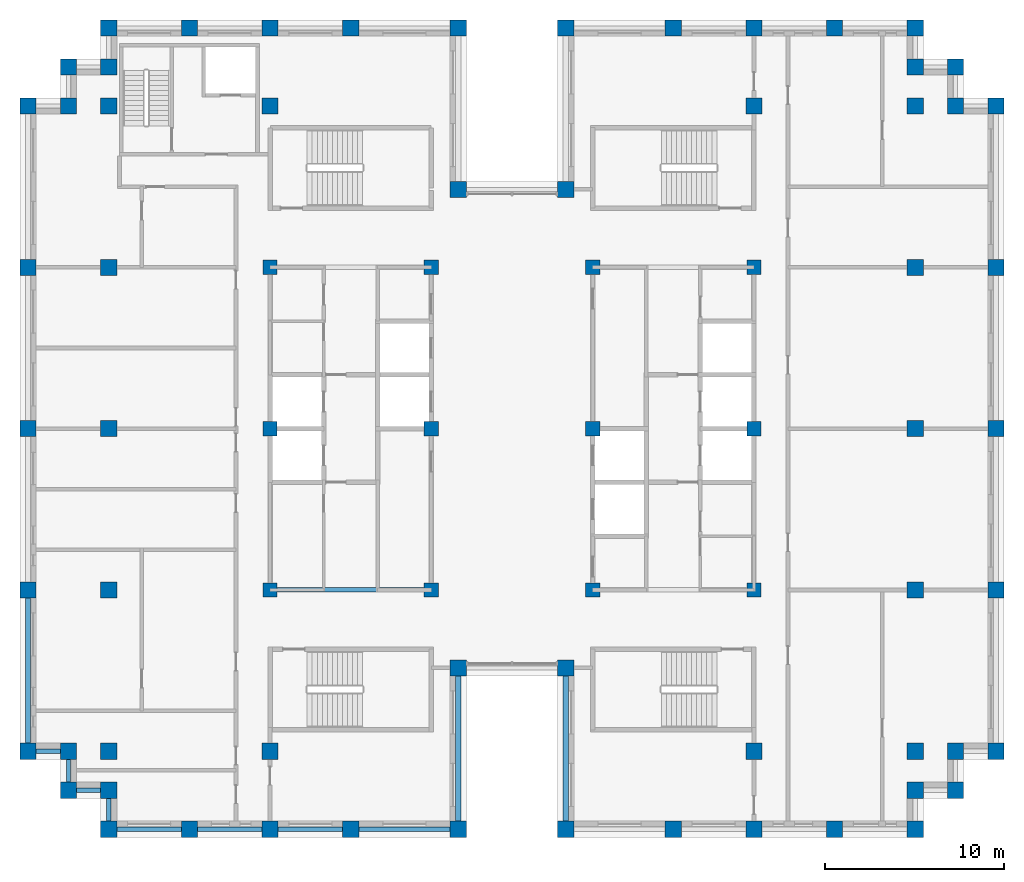
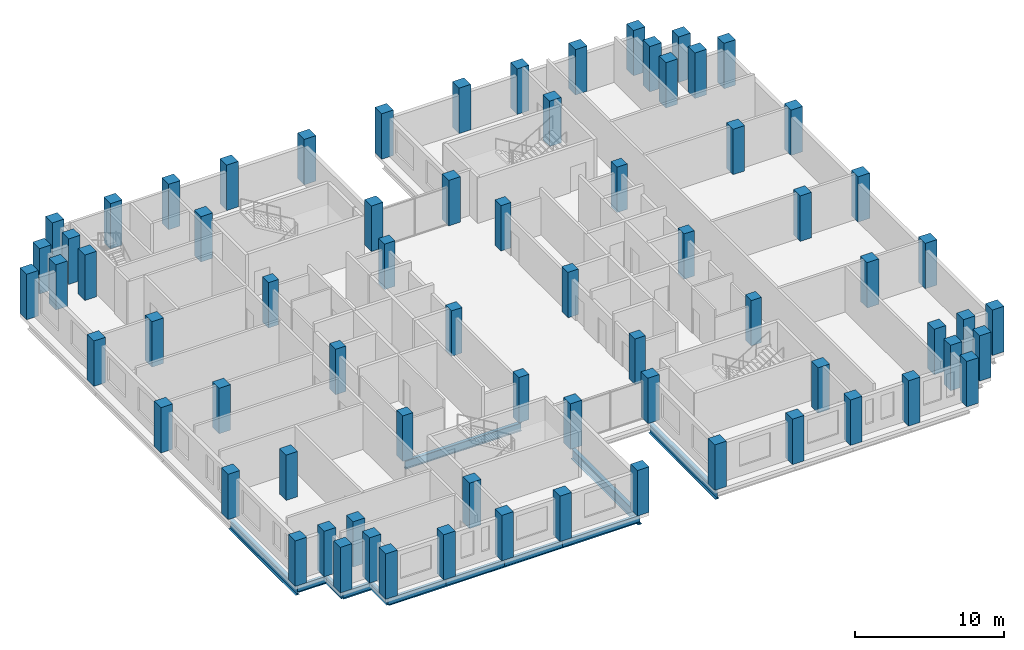
# One storey, part 1 of 13: 72 columns, 12 beams.
"""IFC4 building model written with IfcOpenShell, lengths in metres."""

from ifc_helpers import new_model, si_unit, direction, frame, origin, origin_2d, place, context, subcontext, project, spatial, rectangle, i_section, extrude, material, material_profile, profile_set, type_object, element, save


model = new_model("IFC4")

# Units and contexts
model_context = context("Model", 3, precision=1e-05, world=origin(), true_north=direction((0.0, 1.0)))
body_context = subcontext(model_context, "Body", "Model", "MODEL_VIEW")
ifc_project = project(units=[si_unit("LENGTHUNIT", "METRE"), si_unit("AREAUNIT", "SQUARE_METRE"), si_unit("VOLUMEUNIT", "CUBIC_METRE"), si_unit("PLANEANGLEUNIT", "RADIAN"), si_unit("MASSUNIT", "GRAM", prefix="KILO")], contexts=[model_context])

# Site, building, storey
site_placement = place(None, origin())
site = spatial("IfcSite", under=ifc_project, at=site_placement, CompositionType="ELEMENT")
building_placement = place(site_placement, origin())
building = spatial("IfcBuilding", under=site, at=building_placement, Name="Corbelhall Arena Tower", CompositionType="ELEMENT")
storey_placement = place(building_placement, frame((0.0, 0.0, 282.0)))
storey = spatial("IfcBuildingStorey", under=building, at=storey_placement, Name="L61", CompositionType="ELEMENT", Elevation=282.0)

# Columns
ifc_material_1 = material(Name="Concrete C80/95", Category="concrete")
ifc_material_profile_1 = material_profile(ifc_material_1, rectangle(XDim=0.800048828125, YDim=0.800048828125, at=origin_2d()))
ifc_profile_set_1 = profile_set([ifc_material_profile_1], Name="Concrete C80/95")
column_type_1 = type_object("IfcColumnType", Name="ST-COL-RC 800x800", PredefinedType="COLUMN", material=ifc_profile_set_1)
for number, where, z_axis, x_axis, name in (
    (1, (4.5, 0.0, 0.0), (0.0, 0.0, 1.0), (1.0, 0.0, 0.0), "Column KE+0450+0000"),
    (2, (4.5, 9.0, 0.0), (0.0, 0.0, 1.0), (1.0, 0.0, 0.0), "Column KE+0450+0900"),
    (3, (4.5, -9.0, 0.0), (0.0, 0.0, 1.0), (1.0, 0.0, 0.0), "Column KE+0450-0900"),
    (4, (13.5, 0.0, 0.0), (0.0, 0.0, 1.0), (1.0, 0.0, 0.0), "Column KE+1350+0000"),
    (5, (13.5, 9.0, 0.0), (0.0, 0.0, 1.0), (1.0, 0.0, 0.0), "Column KE+1350+0900"),
    (6, (13.5, -9.0, 0.0), (0.0, 0.0, 1.0), (1.0, 0.0, 0.0), "Column KE+1350-0900"),
    (7, (-4.5, 0.0, 0.0), (0.0, 0.0, 1.0), (1.0, 0.0, 0.0), "Column KW-0450+0000"),
    (8, (-4.5, 9.0, 0.0), (0.0, 0.0, 1.0), (1.0, 0.0, 0.0), "Column KW-0450+0900"),
    (9, (-4.5, -9.0, 0.0), (0.0, 0.0, 1.0), (1.0, 0.0, 0.0), "Column KW-0450-0900"),
    (10, (-13.5, 0.0, 0.0), (0.0, 0.0, 1.0), (1.0, 0.0, 0.0), "Column KW-1350+0000"),
    (11, (-13.5, 9.0, 0.0), (0.0, 0.0, 1.0), (1.0, 0.0, 0.0), "Column KW-1350+0900"),
    (12, (-13.5, -9.0, 0.0), (0.0, 0.0, 1.0), (1.0, 0.0, 0.0), "Column KW-1350-0900"),
):
    element("IfcColumn", number, at=place(storey_placement, frame(where, z_axis=z_axis, x_axis=x_axis)), inside=storey, type_object=column_type_1, Name=name, PredefinedType="COLUMN", context=body_context, shape_type="SweptSolid", body=[
        extrude(rectangle(XDim=0.800048828125, YDim=0.800048828125, at=origin_2d()), origin(), (0.0, 0.0, 1.0), 3.719970703125),
    ])
ifc_material_profile_2 = material_profile(ifc_material_1, rectangle(XDim=0.89990234375, YDim=0.89990234375, at=origin_2d()))
ifc_profile_set_2 = profile_set([ifc_material_profile_2], Name="Concrete C80/95")
column_type_2 = type_object("IfcColumnType", Name="ST-COL-RC 900x900", PredefinedType="COLUMN", material=ifc_profile_set_2)
for number, where, z_axis, x_axis, name in (
    (13, (13.5, 18.0, 0.0), (0.0, 0.0, 1.0), (1.0, 0.0, 0.0), "Column IE13+1800"),
    (14, (13.5, -18.0, 0.0), (0.0, 0.0, 1.0), (1.0, 0.0, 0.0), "Column IE13-1800"),
    (15, (22.5, 0.0, 0.0), (0.0, 0.0, 1.0), (1.0, 0.0, 0.0), "Column IE22+0000"),
    (16, (22.5, 9.0, 0.0), (0.0, 0.0, 1.0), (1.0, 0.0, 0.0), "Column IE22+0900"),
    (17, (22.5, 18.0, 0.0), (0.0, 0.0, 1.0), (1.0, 0.0, 0.0), "Column IE22+1800"),
    (18, (22.5, -9.0, 0.0), (0.0, 0.0, 1.0), (1.0, 0.0, 0.0), "Column IE22-0900"),
    (19, (22.5, -18.0, 0.0), (0.0, 0.0, 1.0), (1.0, 0.0, 0.0), "Column IE22-1800"),
    (20, (-13.5, 18.0, 0.0), (0.0, 0.0, 1.0), (1.0, 0.0, 0.0), "Column IW13+1800"),
    (21, (-13.5, -18.0, 0.0), (0.0, 0.0, 1.0), (1.0, 0.0, 0.0), "Column IW13-1800"),
    (22, (-22.5, 0.0, 0.0), (0.0, 0.0, 1.0), (1.0, 0.0, 0.0), "Column IW22+0000"),
    (23, (-22.5, 9.0, 0.0), (0.0, 0.0, 1.0), (1.0, 0.0, 0.0), "Column IW22+0900"),
    (24, (-22.5, 18.0, 0.0), (0.0, 0.0, 1.0), (1.0, 0.0, 0.0), "Column IW22+1800"),
    (25, (-22.5, -9.0, 0.0), (0.0, 0.0, 1.0), (1.0, 0.0, 0.0), "Column IW22-0900"),
    (26, (-22.5, -18.0, 0.0), (0.0, 0.0, 1.0), (1.0, 0.0, 0.0), "Column IW22-1800"),
    (27, (27.0, 0.0, 0.0), (0.0, 0.0, 1.0), (0.0, 1.0, 0.0), "Column PE+0000"),
    (28, (27.0, 9.0, 0.0), (0.0, 0.0, 1.0), (0.0, 1.0, 0.0), "Column PE+0900"),
    (29, (27.0, 18.0, 0.0), (0.0, 0.0, 1.0), (0.0, 1.0, 0.0), "Column PE+1800"),
    (30, (27.0, -9.0, 0.0), (0.0, 0.0, 1.0), (0.0, 1.0, 0.0), "Column PE-0900"),
    (31, (27.0, -18.0, 0.0), (0.0, 0.0, 1.0), (0.0, 1.0, 0.0), "Column PE-1800"),
    (32, (3.0, 22.35009765625, 0.0), (0.0, 0.0, 1.0), (1.0, 0.0, 0.0), "Column PNE0300"),
    (33, (9.0, 22.35009765625, 0.0), (0.0, 0.0, 1.0), (1.0, 0.0, 0.0), "Column PNE0900"),
    (34, (13.5, 22.35009765625, 0.0), (0.0, 0.0, 1.0), (1.0, 0.0, 0.0), "Column PNE1350"),
    (35, (18.0, 22.35009765625, 0.0), (0.0, 0.0, 1.0), (1.0, 0.0, 0.0), "Column PNE1800"),
    (36, (22.5, 22.35009765625, 0.0), (0.0, 0.0, 1.0), (1.0, 0.0, 0.0), "Column PNE2250"),
    (37, (-3.0, 22.35009765625, 0.0), (0.0, 0.0, 1.0), (1.0, 0.0, 0.0), "Column PNW0300"),
    (38, (-9.0, 22.35009765625, 0.0), (0.0, 0.0, 1.0), (1.0, 0.0, 0.0), "Column PNW0900"),
    (39, (-13.5, 22.35009765625, 0.0), (0.0, 0.0, 1.0), (1.0, 0.0, 0.0), "Column PNW1350"),
    (40, (-18.0, 22.35009765625, 0.0), (0.0, 0.0, 1.0), (1.0, 0.0, 0.0), "Column PNW1800"),
    (41, (-22.5, 22.35009765625, 0.0), (0.0, 0.0, 1.0), (1.0, 0.0, 0.0), "Column PNW2250"),
    (42, (3.0, -22.35009765625, 0.0), (0.0, 0.0, 1.0), (1.0, 0.0, 0.0), "Column PSE0300"),
    (43, (9.0, -22.35009765625, 0.0), (0.0, 0.0, 1.0), (1.0, 0.0, 0.0), "Column PSE0900"),
    (44, (13.5, -22.35009765625, 0.0), (0.0, 0.0, 1.0), (1.0, 0.0, 0.0), "Column PSE1350"),
    (45, (18.0, -22.35009765625, 0.0), (0.0, 0.0, 1.0), (1.0, 0.0, 0.0), "Column PSE1800"),
    (46, (22.5, -22.35009765625, 0.0), (0.0, 0.0, 1.0), (1.0, 0.0, 0.0), "Column PSE2250"),
    (47, (-3.0, -22.35009765625, 0.0), (0.0, 0.0, 1.0), (1.0, 0.0, 0.0), "Column PSW0300"),
    (48, (-9.0, -22.35009765625, 0.0), (0.0, 0.0, 1.0), (1.0, 0.0, 0.0), "Column PSW0900"),
    (49, (-13.5, -22.35009765625, 0.0), (0.0, 0.0, 1.0), (1.0, 0.0, 0.0), "Column PSW1350"),
    (50, (-18.0, -22.35009765625, 0.0), (0.0, 0.0, 1.0), (1.0, 0.0, 0.0), "Column PSW1800"),
    (51, (-22.5, -22.35009765625, 0.0), (0.0, 0.0, 1.0), (1.0, 0.0, 0.0), "Column PSW2250"),
    (52, (-27.0, 0.0, 0.0), (0.0, 0.0, 1.0), (0.0, 1.0, 0.0), "Column PW+0000"),
    (53, (-27.0, 9.0, 0.0), (0.0, 0.0, 1.0), (0.0, 1.0, 0.0), "Column PW+0900"),
    (54, (-27.0, 18.0, 0.0), (0.0, 0.0, 1.0), (0.0, 1.0, 0.0), "Column PW+1800"),
    (55, (-27.0, -9.0, 0.0), (0.0, 0.0, 1.0), (0.0, 1.0, 0.0), "Column PW-0900"),
    (56, (-27.0, -18.0, 0.0), (0.0, 0.0, 1.0), (0.0, 1.0, 0.0), "Column PW-1800"),
    (57, (3.0, 13.35009765625, 0.0), (0.0, 0.0, 1.0), (1.0, 0.0, 0.0), "Column SLNE2"),
    (58, (-3.0, 13.35009765625, 0.0), (0.0, 0.0, 1.0), (1.0, 0.0, 0.0), "Column SLNW2"),
    (59, (3.0, -13.35009765625, 0.0), (0.0, 0.0, 1.0), (1.0, 0.0, 0.0), "Column SLSE2"),
    (60, (-3.0, -13.35009765625, 0.0), (0.0, 0.0, 1.0), (1.0, 0.0, 0.0), "Column SLSW2"),
    (61, (22.5, 20.175048828125, 0.0), (0.0, 0.0, 1.0), (1.0, 0.0, 0.0), "Column XNE1"),
    (62, (24.75, 20.175048828125, 0.0), (0.0, 0.0, 1.0), (1.0, 0.0, 0.0), "Column XNE2"),
    (63, (24.75, 18.0, 0.0), (0.0, 0.0, 1.0), (1.0, 0.0, 0.0), "Column XNE3"),
    (64, (-22.5, 20.175048828125, 0.0), (0.0, 0.0, 1.0), (1.0, 0.0, 0.0), "Column XNW1"),
    (65, (-24.75, 20.175048828125, 0.0), (0.0, 0.0, 1.0), (1.0, 0.0, 0.0), "Column XNW2"),
    (66, (-24.75, 18.0, 0.0), (0.0, 0.0, 1.0), (1.0, 0.0, 0.0), "Column XNW3"),
    (67, (22.5, -20.175048828125, 0.0), (0.0, 0.0, 1.0), (1.0, 0.0, 0.0), "Column XSE1"),
    (68, (24.75, -20.175048828125, 0.0), (0.0, 0.0, 1.0), (1.0, 0.0, 0.0), "Column XSE2"),
    (69, (24.75, -18.0, 0.0), (0.0, 0.0, 1.0), (1.0, 0.0, 0.0), "Column XSE3"),
    (70, (-22.5, -20.175048828125, 0.0), (0.0, 0.0, 1.0), (1.0, 0.0, 0.0), "Column XSW1"),
    (71, (-24.75, -20.175048828125, 0.0), (0.0, 0.0, 1.0), (1.0, 0.0, 0.0), "Column XSW2"),
    (72, (-24.75, -18.0, 0.0), (0.0, 0.0, 1.0), (1.0, 0.0, 0.0), "Column XSW3"),
):
    element("IfcColumn", number, at=place(storey_placement, frame(where, z_axis=z_axis, x_axis=x_axis)), inside=storey, type_object=column_type_2, Name=name, PredefinedType="COLUMN", context=body_context, shape_type="SweptSolid", body=[
        extrude(rectangle(XDim=0.89990234375, YDim=0.89990234375, at=origin_2d()), origin(), (0.0, 0.0, 1.0), 3.719970703125),
    ])

# Beams
ifc_material_2 = material(Name="Steel ASTM A992 Gr50", Category="steel")
ifc_material_profile_3 = material_profile(ifc_material_2, i_section(OverallWidth=0.25390625, OverallDepth=0.67822265625, WebThickness=0.01171875, FlangeThickness=0.016357421875, at=origin_2d()))
ifc_profile_set_3 = profile_set([ifc_material_profile_3], Name="Steel ASTM A992 Gr50")
beam_type_1 = type_object("IfcBeamType", Name="ST-BEAM-W27x84", PredefinedType="BEAM", material=ifc_profile_set_3)
beam_1_placement = place(storey_placement, frame((-13.5, -9.0, -0.619140625), z_axis=(1.0, 0.0, 0.0), x_axis=(0.0, 1.0, 0.0)))
element("IfcBeam", 73, at=beam_1_placement, inside=storey, type_object=beam_type_1, Name="Beam CEW 5", PredefinedType="BEAM", context=body_context, shape_type="SweptSolid", body=[
    extrude(i_section(OverallWidth=0.25390625, OverallDepth=0.67822265625, WebThickness=0.01171875, FlangeThickness=0.016357421875, at=origin_2d()), origin(), (0.0, 0.0, 1.0), 9.0),
])
ifc_material_profile_4 = material_profile(ifc_material_2, i_section(OverallWidth=0.227783203125, OverallDepth=0.60205078125, WebThickness=0.010498046875, FlangeThickness=0.014892578125, at=origin_2d()))
ifc_profile_set_4 = profile_set([ifc_material_profile_4], Name="Steel ASTM A992 Gr50")
beam_type_2 = type_object("IfcBeamType", Name="ST-SPANDREL-W24x68", PredefinedType="SPANDREL", material=ifc_profile_set_4)
beam_2_placement = place(storey_placement, frame((-3.0, -22.35009765625, -0.5810546875), z_axis=(-1.0, 0.0, 0.0), x_axis=(0.0, -1.0, 0.0)))
element("IfcBeam", 74, at=beam_2_placement, inside=storey, type_object=beam_type_2, Name="Beam SP 21", PredefinedType="SPANDREL", context=body_context, shape_type="SweptSolid", body=[
    extrude(i_section(OverallWidth=0.227783203125, OverallDepth=0.60205078125, WebThickness=0.010498046875, FlangeThickness=0.014892578125, at=origin_2d()), origin(), (0.0, 0.0, 1.0), 6.0),
])
for number, where, z_axis, x_axis, name in (
    (75, (-9.0, -22.35009765625, -0.5810546875), (-1.0, 0.0, 0.0), (0.0, -1.0, 0.0), "Beam SP 22"),
    (76, (-13.5, -22.35009765625, -0.5810546875), (-1.0, 0.0, 0.0), (0.0, -1.0, 0.0), "Beam SP 23"),
    (77, (-18.0, -22.35009765625, -0.5810546875), (-1.0, 0.0, 0.0), (0.0, -1.0, 0.0), "Beam SP 24"),
):
    element("IfcBeam", number, at=place(storey_placement, frame(where, z_axis=z_axis, x_axis=x_axis)), inside=storey, type_object=beam_type_2, Name=name, PredefinedType="SPANDREL", context=body_context, shape_type="SweptSolid", body=[
        extrude(i_section(OverallWidth=0.227783203125, OverallDepth=0.60205078125, WebThickness=0.010498046875, FlangeThickness=0.014892578125, at=origin_2d()), origin(), (0.0, 0.0, 1.0), 4.5),
    ])
beam_3_placement = place(storey_placement, frame((-22.5, -22.35009765625, -0.5810546875), z_axis=(0.0, 1.0, 0.0), x_axis=(-1.0, 0.0, 0.0)))
element("IfcBeam", 78, at=beam_3_placement, inside=storey, type_object=beam_type_2, Name="Beam SP 25", PredefinedType="SPANDREL", context=body_context, shape_type="SweptSolid", body=[
    extrude(i_section(OverallWidth=0.227783203125, OverallDepth=0.60205078125, WebThickness=0.010498046875, FlangeThickness=0.014892578125, at=origin_2d()), origin(), (0.0, 0.0, 1.0), 2.175048828125),
])
beam_4_placement = place(storey_placement, frame((-22.5, -20.175048828125, -0.5810546875), z_axis=(-1.0, 0.0, 0.0), x_axis=(0.0, -1.0, 0.0)))
element("IfcBeam", 79, at=beam_4_placement, inside=storey, type_object=beam_type_2, Name="Beam SP 44", PredefinedType="SPANDREL", context=body_context, shape_type="SweptSolid", body=[
    extrude(i_section(OverallWidth=0.227783203125, OverallDepth=0.60205078125, WebThickness=0.010498046875, FlangeThickness=0.014892578125, at=origin_2d()), origin(), (0.0, 0.0, 1.0), 2.25),
])
beam_5_placement = place(storey_placement, frame((-24.75, -20.175048828125, -0.5810546875), z_axis=(0.0, 1.0, 0.0), x_axis=(-1.0, 0.0, 0.0)))
element("IfcBeam", 80, at=beam_5_placement, inside=storey, type_object=beam_type_2, Name="Beam SP 45", PredefinedType="SPANDREL", context=body_context, shape_type="SweptSolid", body=[
    extrude(i_section(OverallWidth=0.227783203125, OverallDepth=0.60205078125, WebThickness=0.010498046875, FlangeThickness=0.014892578125, at=origin_2d()), origin(), (0.0, 0.0, 1.0), 2.175048828125),
])
beam_6_placement = place(storey_placement, frame((-24.75, -18.0, -0.5810546875), z_axis=(-1.0, 0.0, 0.0), x_axis=(0.0, -1.0, 0.0)))
element("IfcBeam", 81, at=beam_6_placement, inside=storey, type_object=beam_type_2, Name="Beam SP 46", PredefinedType="SPANDREL", context=body_context, shape_type="SweptSolid", body=[
    extrude(i_section(OverallWidth=0.227783203125, OverallDepth=0.60205078125, WebThickness=0.010498046875, FlangeThickness=0.014892578125, at=origin_2d()), origin(), (0.0, 0.0, 1.0), 2.25),
])
ifc_material_profile_5 = material_profile(ifc_material_2, i_section(OverallWidth=0.2919921875, OverallDepth=0.845703125, WebThickness=0.015380859375, FlangeThickness=0.0244140625, at=origin_2d()))
ifc_profile_set_5 = profile_set([ifc_material_profile_5], Name="Steel ASTM A992 Gr50")
beam_type_3 = type_object("IfcBeamType", Name="ST-SPANDREL-W33x141", PredefinedType="SPANDREL", material=ifc_profile_set_5)
for number, where, z_axis, x_axis, name in (
    (82, (3.0, -22.35009765625, -0.702880859375), (0.0, 1.0, 0.0), (-1.0, 0.0, 0.0), "Beam SP 16"),
    (83, (-27.0, -18.0, -0.702880859375), (0.0, 1.0, 0.0), (-1.0, 0.0, 0.0), "Beam SP 30"),
    (84, (-3.0, -13.35009765625, -0.702880859375), (0.0, -1.0, 0.0), (1.0, 0.0, 0.0), "Beam SP 34"),
):
    element("IfcBeam", number, at=place(storey_placement, frame(where, z_axis=z_axis, x_axis=x_axis)), inside=storey, type_object=beam_type_3, Name=name, PredefinedType="SPANDREL", context=body_context, shape_type="SweptSolid", body=[
        extrude(i_section(OverallWidth=0.2919921875, OverallDepth=0.845703125, WebThickness=0.015380859375, FlangeThickness=0.0244140625, at=origin_2d()), origin(), (0.0, 0.0, 1.0), 9.0),
    ])

save(model, "model.ifc")
